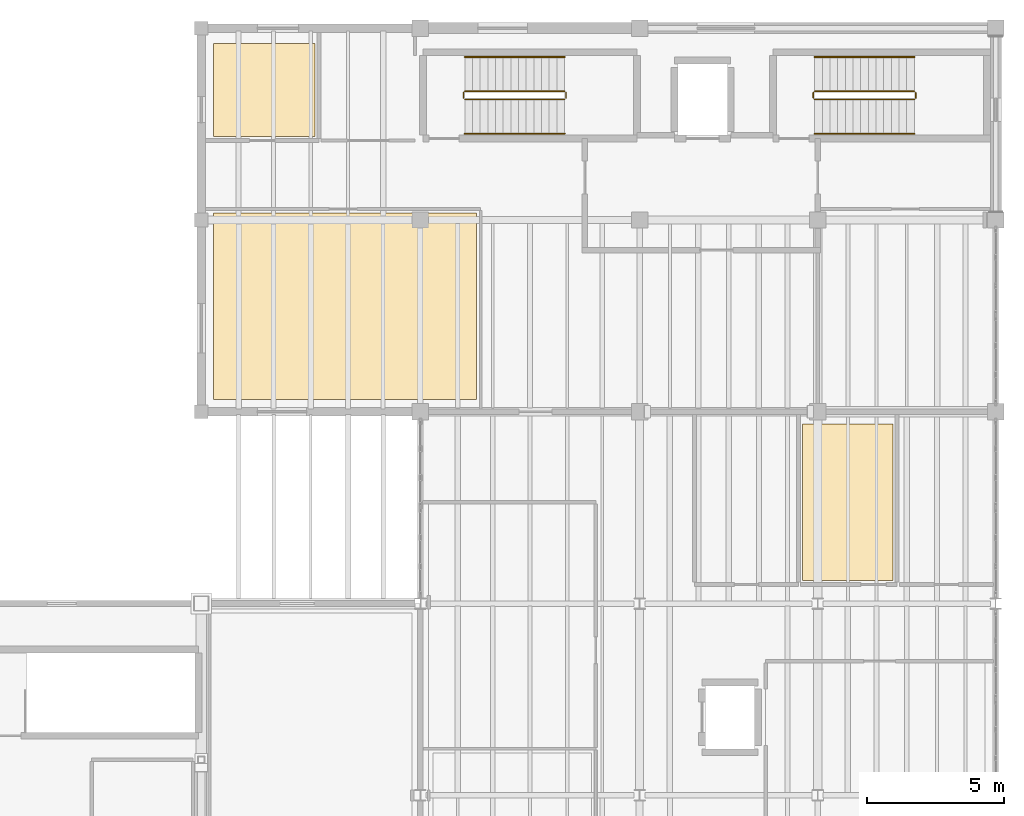
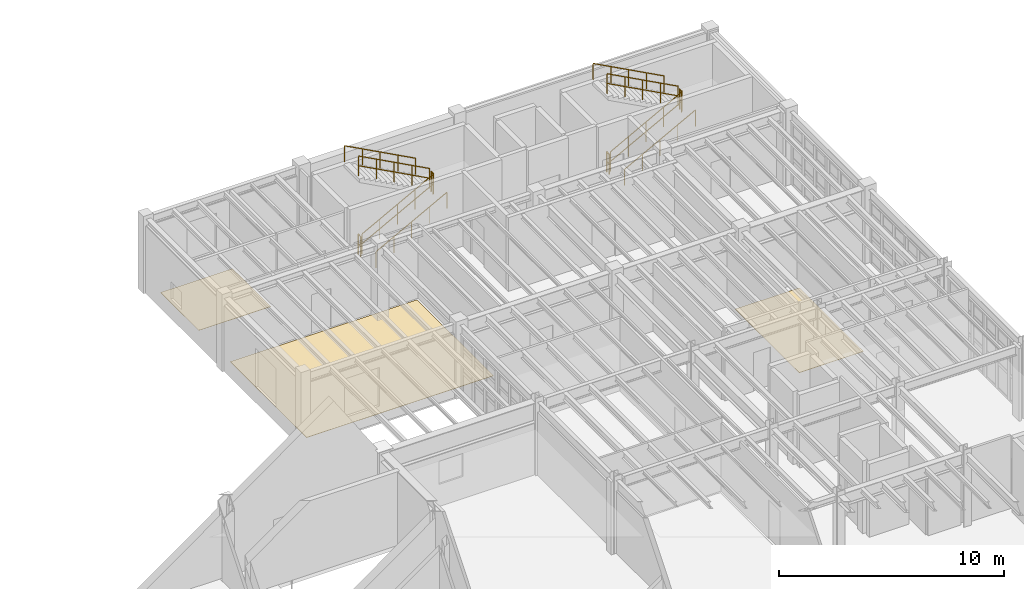
# One storey, part 78 of 78: 12 railings, 3 coverings.
"""IFC4 building model written with IfcOpenShell, lengths in metres."""

import ifcopenshell
import ifcopenshell.guid

model = None  # the IFC model being written
_history = None  # IfcOwnerHistory: only IFC2X3 demands one
_inside = {}  # id of a spatial element -> (the spatial element, [elements in it])
_under = {}  # id of a project, library or spatial element -> (it, [spatial elements below it])
_declared = {}  # id of a project -> (the project, [libraries it declares])
_typed = {}  # id of a type object -> (the type object, [elements of that type])
_made_of = {}  # id of a material, layer set ... -> (it, [elements and type objects made of it])


def new_model(schema):
    """Start an empty IFC model of exactly this schema.

    Asked for "IFC4X3", IfcOpenShell would pick the latest addendum, in which some entities
    have other attributes; the version numbers below select the first issue.
    IFC2X3 requires an IfcOwnerHistory on every rooted entity: one is made here for all.
    """
    global model, _history
    if schema == "IFC4X3":
        model = ifcopenshell.file(schema_version=(4, 3, 0, 0))
    else:
        model = ifcopenshell.file(schema=schema)
    _inside.clear()
    _under.clear()
    _declared.clear()
    _typed.clear()
    _made_of.clear()
    _history = None
    if model.schema == "IFC2X3":
        org = make("IfcOrganization", Name="unknown")
        user = make(
            "IfcPersonAndOrganization",
            ThePerson=make("IfcPerson", FamilyName="unknown"),
            TheOrganization=org,
        )
        app = make(
            "IfcApplication",
            ApplicationDeveloper=org,
            Version="unknown",
            ApplicationFullName="unknown",
            ApplicationIdentifier="unknown",
        )
        _history = make(
            "IfcOwnerHistory",
            OwningUser=user,
            OwningApplication=app,
            ChangeAction="ADDED",
            CreationDate=0,
        )
    return model


def make(cls, **values):
    """One entity of the class cls with the attributes given. An attribute that is None is left unset."""
    return model.create_entity(
        cls, **{name: value for name, value in values.items() if value is not None}
    )


def rooted(cls, **values):
    """An entity with a GlobalId (a new one), such as an element, a storey or a relation."""
    return make(cls, GlobalId=ifcopenshell.guid.new(), OwnerHistory=_history, **values)


def si_unit(unit_type, name, prefix=None):
    """IfcSIUnit, for example si_unit("LENGTHUNIT", "METRE", prefix="MILLI")."""
    return make("IfcSIUnit", UnitType=unit_type, Prefix=prefix, Name=name)


def assignment(units):
    """IfcUnitAssignment: the units of a project."""
    return None if units is None else make("IfcUnitAssignment", Units=units)


def point(xyz):
    """IfcCartesianPoint."""
    return None if xyz is None else make("IfcCartesianPoint", Coordinates=xyz)


def direction(xyz):
    """IfcDirection."""
    return None if xyz is None else make("IfcDirection", DirectionRatios=xyz)


def frame(location, z_axis=None, x_axis=None):
    """IfcAxis2Placement3D, a coordinate frame: its origin and axes. An axis left out is left unset."""
    return make(
        "IfcAxis2Placement3D",
        Location=point(location),
        Axis=direction(z_axis),
        RefDirection=direction(x_axis),
    )


def frame_2d(location, x_axis=None):
    """IfcAxis2Placement2D, a coordinate frame in the plane: its origin and x axis."""
    return make(
        "IfcAxis2Placement2D", Location=point(location), RefDirection=direction(x_axis)
    )


def origin():
    """The frame at (0, 0, 0) with its axes left unset."""
    return frame((0.0, 0.0, 0.0))


def origin_2d():
    """The frame at (0, 0) in the plane with its x axis left unset."""
    return frame_2d((0.0, 0.0))


def place(relative_to, where):
    """IfcLocalPlacement: puts the frame where relative to a parent placement (None: the world)."""
    return make(
        "IfcLocalPlacement", PlacementRelTo=relative_to, RelativePlacement=where
    )


def context(
    kind, dimensions, precision=None, world=None, true_north=None, identifier=None
):
    """IfcGeometricRepresentationContext, for example the 3D "Model" context."""
    return make(
        "IfcGeometricRepresentationContext",
        ContextIdentifier=identifier,
        ContextType=kind,
        CoordinateSpaceDimension=dimensions,
        Precision=precision,
        WorldCoordinateSystem=world,
        TrueNorth=true_north,
    )


def subcontext(parent, identifier, kind, view, scale=None):
    """IfcGeometricRepresentationSubContext, for example "Body" below "Model"."""
    return make(
        "IfcGeometricRepresentationSubContext",
        ContextIdentifier=identifier,
        ContextType=kind,
        ParentContext=parent,
        TargetScale=scale,
        TargetView=view,
    )


def project(units=None, contexts=None):
    """IfcProject with its units and contexts."""
    return rooted(
        "IfcProject",
        Name="project",
        RepresentationContexts=contexts,
        UnitsInContext=assignment(units),
    )


def spatial(cls, under=None, at=None, **own):
    """A site, building, storey or space (cls), placed at a placement, below another one or the project."""
    s = rooted(cls, ObjectPlacement=at, **own)
    if under is not None:
        _under.setdefault(under.id(), (under, []))[1].append(s)
    return s


def polyline(points):
    """IfcPolyline through the points."""
    return make("IfcPolyline", Points=[point(p) for p in points])


def profile(cls, at=None, kind="AREA", **sizes):
    """A parametric profile (cls). Its sizes go by their IFC names, for example OverallWidth=200.0."""
    return make(cls, ProfileType=kind, Position=at, **sizes)


def circle(**sizes):
    """IfcCircleProfileDef."""
    return profile("IfcCircleProfileDef", **sizes)


def outline(outer, holes=None, kind="AREA"):
    """IfcArbitraryClosedProfileDef: a profile drawn as a closed curve; with holes, ...WithVoids."""
    if holes is None:
        return make("IfcArbitraryClosedProfileDef", ProfileType=kind, OuterCurve=outer)
    return make(
        "IfcArbitraryProfileDefWithVoids",
        ProfileType=kind,
        OuterCurve=outer,
        InnerCurves=holes,
    )


def extrude(swept, where, along, depth):
    """IfcExtrudedAreaSolid: the profile swept, set in the frame where, extruded along a direction by depth."""
    return make(
        "IfcExtrudedAreaSolid",
        SweptArea=swept,
        Position=where,
        ExtrudedDirection=direction(along),
        Depth=depth,
    )


def shape(context_of_items, identifier, shape_type, items):
    """IfcShapeRepresentation: the items that make up one representation, for example the "Body"."""
    return make(
        "IfcShapeRepresentation",
        ContextOfItems=context_of_items,
        RepresentationIdentifier=identifier,
        RepresentationType=shape_type,
        Items=items,
    )


def material(Name=None, Category=None):
    """IfcMaterial."""
    return make("IfcMaterial", Name=Name, Category=Category)


def layer(
    of_material, thickness, ventilated=None, Name=None, Category=None, Priority=None
):
    """IfcMaterialLayer: one layer of a wall or slab, of a material (None: an air gap)."""
    return make(
        "IfcMaterialLayer",
        Material=of_material,
        LayerThickness=thickness,
        IsVentilated=ventilated,
        Name=Name,
        Category=Category,
        Priority=Priority,
    )


def layer_set(layers, Name=None):
    """IfcMaterialLayerSet."""
    return make("IfcMaterialLayerSet", MaterialLayers=layers, LayerSetName=Name)


def made_of(thing, what):
    """Note that an element or type object is made of a material, layer set ...; save() writes the relation."""
    if what is not None:
        _made_of.setdefault(what.id(), (what, []))[1].append(thing)
    return thing


def type_object(cls, material=None, **own):
    """A type object (cls), such as IfcWallType, which elements share."""
    return made_of(rooted(cls, **own), material)


def element(
    cls,
    number,
    at=None,
    inside=None,
    cuts=None,
    type_object=None,
    material=None,
    context=None,
    identifier="Body",
    shape_type=None,
    held_by="IfcProductDefinitionShape",
    body=None,
    shapes=None,
    **own,
):
    """One element of the class cls, such as IfcWall. Its Tag is "e" and its number.

    at: its placement. inside: the storey or other place that contains it. cuts: it is an
    opening in that element (IfcRelVoidsElement). A single representation is given by context,
    identifier, shape_type and body (its items); several are given by shapes. held_by: the class
    of the entity that holds the representations. save() writes the other relations.
    """
    e = rooted(cls, Tag="e%d" % number, ObjectPlacement=at, **own)
    if body is not None:
        shapes = [shape(context, identifier, shape_type, body)]
    if shapes is not None:
        e.Representation = make(held_by, Representations=shapes)
    if inside is not None:
        _inside.setdefault(inside.id(), (inside, []))[1].append(e)
    if cuts is not None:
        rooted(
            "IfcRelVoidsElement", RelatingBuildingElement=cuts, RelatedOpeningElement=e
        )
    if type_object is not None:
        _typed.setdefault(type_object.id(), (type_object, []))[1].append(e)
    return made_of(e, material)


def aggregate(whole, parts):
    """IfcRelAggregates: a whole, such as a stair, and the parts it consists of."""
    return rooted("IfcRelAggregates", RelatingObject=whole, RelatedObjects=parts)


def save(model, path):
    """Write the relations noted so far, then the file.

    IfcRelAggregates (storeys below a building ...), IfcRelContainedInSpatialStructure (elements
    in a storey), IfcRelDefinesByType, IfcRelAssociatesMaterial and IfcRelDeclares: one each for
    every whole, place, type object, material and project.
    """
    for whole, parts in _under.values():
        aggregate(whole, parts)
    for where, things in _inside.values():
        rooted(
            "IfcRelContainedInSpatialStructure",
            RelatedElements=things,
            RelatingStructure=where,
        )
    for kind, things in _typed.values():
        rooted("IfcRelDefinesByType", RelatedObjects=things, RelatingType=kind)
    for what, things in _made_of.values():
        rooted("IfcRelAssociatesMaterial", RelatedObjects=things, RelatingMaterial=what)
    for by, libraries in _declared.values():
        rooted("IfcRelDeclares", RelatingContext=by, RelatedDefinitions=libraries)
    model.write(path)


model = new_model("IFC4")

# Units and contexts
model_context = context("Model", 3, precision=1e-05, world=origin(), true_north=direction((0.0, 1.0)))
body_context = subcontext(model_context, "Body", "Model", "MODEL_VIEW")
ifc_project = project(units=[si_unit("LENGTHUNIT", "METRE"), si_unit("AREAUNIT", "SQUARE_METRE"), si_unit("VOLUMEUNIT", "CUBIC_METRE"), si_unit("PLANEANGLEUNIT", "RADIAN"), si_unit("MASSUNIT", "GRAM", prefix="KILO"), si_unit("THERMODYNAMICTEMPERATUREUNIT", "KELVIN"), si_unit("POWERUNIT", "WATT")], contexts=[model_context])

# Site, building, storey
site_placement = place(None, origin())
site = spatial("IfcSite", under=ifc_project, at=site_placement, CompositionType="ELEMENT")
building_placement = place(site_placement, origin())
building = spatial("IfcBuilding", under=site, at=building_placement, Name="Zhenchuan Central Fire Station", CompositionType="ELEMENT")
storey_placement = place(building_placement, frame((0.0, 0.0, 5.85009765625)))
storey = spatial("IfcBuildingStorey", under=building, at=storey_placement, Name="L02", CompositionType="ELEMENT", Elevation=5.85009765625)

# Coverings
ifc_material_1 = material(Name="Heavy-duty slip-resistant ceramic tile flooring")
ifc_layer = layer(ifc_material_1, 0.014892578125, Name="Heavy-duty slip-resistant ceramic tile flooring")
ifc_layer_set = layer_set([ifc_layer], Name="Heavy-duty slip-resistant ceramic tile flooring")
covering_type = type_object("IfcCoveringType", Name="COV-FLR-RES", PredefinedType="FLOORING", material=ifc_layer_set)
covering_1_placement = place(storey_placement, origin())
element("IfcCovering", 1, at=covering_1_placement, inside=storey, type_object=covering_type, Name="Administration Female WC Ceramic Tile Flooring", PredefinedType="FLOORING", context=body_context, shape_type="SweptSolid", body=[
    extrude(outline(polyline([(153.949951171875, 36.35009765625), (157.25, 36.35009765625), (157.25, 42.050048828125), (153.949951171875, 42.050048828125), (153.949951171875, 36.35009765625)])), origin(), (0.0, 0.0, 1.0), 0.014892578125),
])
covering_2_placement = place(storey_placement, origin())
element("IfcCovering", 2, at=covering_2_placement, inside=storey, type_object=covering_type, Name="Forcible Entry Training Room Ceramic Tile Flooring", PredefinedType="FLOORING", context=body_context, shape_type="SweptSolid", body=[
    extrude(outline(polyline([(132.449951171875, 42.949951171875), (142.050048828125, 42.949951171875), (142.050048828125, 49.75), (132.449951171875, 49.75), (132.449951171875, 42.949951171875)])), origin(), (0.0, 0.0, 1.0), 0.014892578125),
])
covering_3_placement = place(storey_placement, origin())
element("IfcCovering", 3, at=covering_3_placement, inside=storey, type_object=covering_type, Name="Drill Tower Accessible WC L02 Ceramic Tile Flooring", PredefinedType="FLOORING", context=body_context, shape_type="SweptSolid", body=[
    extrude(outline(polyline([(132.449951171875, 52.550048828125), (136.14990234375, 52.550048828125), (136.14990234375, 55.949951171875), (132.449951171875, 55.949951171875), (132.449951171875, 52.550048828125)])), origin(), (0.0, 0.0, 1.0), 0.014892578125),
])

# Railings
ifc_material_2 = material(Name="Galvanised powder-coated steel", Category="steel")
railing_type_1 = type_object("IfcRailingType", Name="RL-ST-GRD", PredefinedType="GUARDRAIL", material=ifc_material_2)
railing_1_placement = place(storey_placement, frame((141.6201171875, 53.89990234375, 0.14990234375)))
element("IfcRailing", 4, at=railing_1_placement, inside=storey, type_object=railing_type_1, Name="L02 ST-12 stair guard 1", PredefinedType="GUARDRAIL", context=body_context, shape_type="SweptSolid", body=[
    extrude(circle(Radius=0.02392578125, at=origin_2d()), frame((0.0, 0.0, 1.076171875), z_axis=(0.881479091078, 0.0, 0.472223053219), x_axis=(0.0, 1.0, 0.0)), (0.0, 0.0, 1.0), 4.12939453125),
    extrude(circle(Radius=0.02392578125, at=origin_2d()), frame((0.0, 0.0, 0.550048828125), z_axis=(0.881479091078, 0.0, 0.472223053219), x_axis=(0.0, 1.0, 0.0)), (0.0, 0.0, 1.0), 4.12939453125),
    extrude(circle(Radius=0.02099609375, at=origin_2d()), origin(), (0.0, 0.0, 1.0), 1.052001953125),
    extrude(circle(Radius=0.02099609375, at=origin_2d()), frame((0.909912109375, 0.0, 0.487548828125)), (0.0, 0.0, 1.0), 1.052001953125),
    extrude(circle(Radius=0.02099609375, at=origin_2d()), frame((1.81982421875, 0.0, 0.97509765625)), (0.0, 0.0, 1.0), 1.052001953125),
    extrude(circle(Radius=0.02099609375, at=origin_2d()), frame((2.72998046875, 0.0, 1.46240234375)), (0.0, 0.0, 1.0), 1.052001953125),
    extrude(circle(Radius=0.02099609375, at=origin_2d()), frame((3.639892578125, 0.0, 1.949951171875)), (0.0, 0.0, 1.0), 1.052001953125),
])
railing_2_placement = place(storey_placement, frame((145.31005859375, 53.949951171875, 2.099853515625)))
element("IfcRailing", 5, at=railing_2_placement, inside=storey, type_object=railing_type_1, Name="L02 ST-12 stair guard 2", PredefinedType="GUARDRAIL", context=body_context, shape_type="SweptSolid", body=[
    extrude(circle(Radius=0.02392578125, at=origin_2d()), frame((0.0, 0.0, 1.076171875), z_axis=(0.0, 1.0, 0.0), x_axis=(-1.0, 0.0, 0.0)), (0.0, 0.0, 1.0), 0.199951171875),
    extrude(circle(Radius=0.02392578125, at=origin_2d()), frame((0.0, 0.0, 0.550048828125), z_axis=(0.0, 1.0, 0.0), x_axis=(-1.0, 0.0, 0.0)), (0.0, 0.0, 1.0), 0.199951171875),
    extrude(circle(Radius=0.02099609375, at=origin_2d()), origin(), (0.0, 0.0, 1.0), 1.052001953125),
    extrude(circle(Radius=0.02099609375, at=origin_2d()), frame((0.0, 0.199951171875, 0.0)), (0.0, 0.0, 1.0), 1.052001953125),
])
railing_3_placement = place(storey_placement, frame((145.260009765625, 54.199951171875, 2.25)))
element("IfcRailing", 6, at=railing_3_placement, inside=storey, type_object=railing_type_1, Name="L02 ST-12 stair guard 3", PredefinedType="GUARDRAIL", context=body_context, shape_type="SweptSolid", body=[
    extrude(circle(Radius=0.02392578125, at=origin_2d()), frame((0.0, 0.0, 1.076171875), z_axis=(-0.881479091078, 0.0, 0.472223053219), x_axis=(0.0, -1.0, 0.0)), (0.0, 0.0, 1.0), 4.12939453125),
    extrude(circle(Radius=0.02392578125, at=origin_2d()), frame((0.0, 0.0, 0.550048828125), z_axis=(-0.881479091078, 0.0, 0.472223053219), x_axis=(0.0, -1.0, 0.0)), (0.0, 0.0, 1.0), 4.12939453125),
    extrude(circle(Radius=0.02099609375, at=origin_2d()), origin(), (0.0, 0.0, 1.0), 1.052001953125),
    extrude(circle(Radius=0.02099609375, at=origin_2d()), frame((-0.909912109375, 0.0, 0.487548828125)), (0.0, 0.0, 1.0), 1.052001953125),
    extrude(circle(Radius=0.02099609375, at=origin_2d()), frame((-1.81982421875, 0.0, 0.97509765625)), (0.0, 0.0, 1.0), 1.052001953125),
    extrude(circle(Radius=0.02099609375, at=origin_2d()), frame((-2.72998046875, 0.0, 1.46240234375)), (0.0, 0.0, 1.0), 1.052001953125),
    extrude(circle(Radius=0.02099609375, at=origin_2d()), frame((-3.639892578125, 0.0, 1.949951171875)), (0.0, 0.0, 1.0), 1.052001953125),
])
railing_4_placement = place(storey_placement, frame((141.570068359375, 53.949951171875, 0.0)))
element("IfcRailing", 7, at=railing_4_placement, inside=storey, type_object=railing_type_1, Name="L02 ST-12 stair guard 4", PredefinedType="GUARDRAIL", context=body_context, shape_type="SweptSolid", body=[
    extrude(circle(Radius=0.02392578125, at=origin_2d()), frame((0.0, 0.0, 1.076171875), z_axis=(0.0, 1.0, 0.0), x_axis=(-1.0, 0.0, 0.0)), (0.0, 0.0, 1.0), 0.199951171875),
    extrude(circle(Radius=0.02392578125, at=origin_2d()), frame((0.0, 0.0, 0.550048828125), z_axis=(0.0, 1.0, 0.0), x_axis=(-1.0, 0.0, 0.0)), (0.0, 0.0, 1.0), 0.199951171875),
    extrude(circle(Radius=0.02099609375, at=origin_2d()), origin(), (0.0, 0.0, 1.0), 1.052001953125),
    extrude(circle(Radius=0.02099609375, at=origin_2d()), frame((0.0, 0.199951171875, 0.0)), (0.0, 0.0, 1.0), 1.052001953125),
])
railing_5_placement = place(storey_placement, frame((154.389892578125, 53.89990234375, 0.14990234375)))
element("IfcRailing", 8, at=railing_5_placement, inside=storey, type_object=railing_type_1, Name="L02 ST-13 stair guard 1", PredefinedType="GUARDRAIL", context=body_context, shape_type="SweptSolid", body=[
    extrude(circle(Radius=0.02392578125, at=origin_2d()), frame((0.0, 0.0, 1.076171875), z_axis=(0.881492274372, 0.0, 0.472198443689), x_axis=(0.0, 1.0, 0.0)), (0.0, 0.0, 1.0), 4.12939453125),
    extrude(circle(Radius=0.02392578125, at=origin_2d()), frame((0.0, 0.0, 0.550048828125), z_axis=(0.881492274372, 0.0, 0.472198443689), x_axis=(0.0, 1.0, 0.0)), (0.0, 0.0, 1.0), 4.12939453125),
    extrude(circle(Radius=0.02099609375, at=origin_2d()), origin(), (0.0, 0.0, 1.0), 1.052001953125),
    extrude(circle(Radius=0.02099609375, at=origin_2d()), frame((0.91015625, 0.0, 0.487548828125)), (0.0, 0.0, 1.0), 1.052001953125),
    extrude(circle(Radius=0.02099609375, at=origin_2d()), frame((1.820068359375, 0.0, 0.97509765625)), (0.0, 0.0, 1.0), 1.052001953125),
    extrude(circle(Radius=0.02099609375, at=origin_2d()), frame((2.72998046875, 0.0, 1.46240234375)), (0.0, 0.0, 1.0), 1.052001953125),
    extrude(circle(Radius=0.02099609375, at=origin_2d()), frame((3.64013671875, 0.0, 1.949951171875)), (0.0, 0.0, 1.0), 1.052001953125),
])
railing_6_placement = place(storey_placement, frame((158.080078125, 53.949951171875, 2.099853515625)))
element("IfcRailing", 9, at=railing_6_placement, inside=storey, type_object=railing_type_1, Name="L02 ST-13 stair guard 2", PredefinedType="GUARDRAIL", context=body_context, shape_type="SweptSolid", body=[
    extrude(circle(Radius=0.02392578125, at=origin_2d()), frame((0.0, 0.0, 1.076171875), z_axis=(0.0, 1.0, 0.0), x_axis=(-1.0, 0.0, 0.0)), (0.0, 0.0, 1.0), 0.199951171875),
    extrude(circle(Radius=0.02392578125, at=origin_2d()), frame((0.0, 0.0, 0.550048828125), z_axis=(0.0, 1.0, 0.0), x_axis=(-1.0, 0.0, 0.0)), (0.0, 0.0, 1.0), 0.199951171875),
    extrude(circle(Radius=0.02099609375, at=origin_2d()), origin(), (0.0, 0.0, 1.0), 1.052001953125),
    extrude(circle(Radius=0.02099609375, at=origin_2d()), frame((0.0, 0.199951171875, 0.0)), (0.0, 0.0, 1.0), 1.052001953125),
])
railing_7_placement = place(storey_placement, frame((158.030029296875, 54.199951171875, 2.25)))
element("IfcRailing", 10, at=railing_7_placement, inside=storey, type_object=railing_type_1, Name="L02 ST-13 stair guard 3", PredefinedType="GUARDRAIL", context=body_context, shape_type="SweptSolid", body=[
    extrude(circle(Radius=0.02392578125, at=origin_2d()), frame((0.0, 0.0, 1.076171875), z_axis=(-0.881492274372, 0.0, 0.472198443689), x_axis=(0.0, -1.0, 0.0)), (0.0, 0.0, 1.0), 4.12939453125),
    extrude(circle(Radius=0.02392578125, at=origin_2d()), frame((0.0, 0.0, 0.550048828125), z_axis=(-0.881492274372, 0.0, 0.472198443689), x_axis=(0.0, -1.0, 0.0)), (0.0, 0.0, 1.0), 4.12939453125),
    extrude(circle(Radius=0.02099609375, at=origin_2d()), origin(), (0.0, 0.0, 1.0), 1.052001953125),
    extrude(circle(Radius=0.02099609375, at=origin_2d()), frame((-0.91015625, 0.0, 0.487548828125)), (0.0, 0.0, 1.0), 1.052001953125),
    extrude(circle(Radius=0.02099609375, at=origin_2d()), frame((-1.820068359375, 0.0, 0.97509765625)), (0.0, 0.0, 1.0), 1.052001953125),
    extrude(circle(Radius=0.02099609375, at=origin_2d()), frame((-2.72998046875, 0.0, 1.46240234375)), (0.0, 0.0, 1.0), 1.052001953125),
    extrude(circle(Radius=0.02099609375, at=origin_2d()), frame((-3.64013671875, 0.0, 1.949951171875)), (0.0, 0.0, 1.0), 1.052001953125),
])
railing_8_placement = place(storey_placement, frame((154.340087890625, 53.949951171875, 0.0)))
element("IfcRailing", 11, at=railing_8_placement, inside=storey, type_object=railing_type_1, Name="L02 ST-13 stair guard 4", PredefinedType="GUARDRAIL", context=body_context, shape_type="SweptSolid", body=[
    extrude(circle(Radius=0.02392578125, at=origin_2d()), frame((0.0, 0.0, 1.076171875), z_axis=(0.0, 1.0, 0.0), x_axis=(-1.0, 0.0, 0.0)), (0.0, 0.0, 1.0), 0.199951171875),
    extrude(circle(Radius=0.02392578125, at=origin_2d()), frame((0.0, 0.0, 0.550048828125), z_axis=(0.0, 1.0, 0.0), x_axis=(-1.0, 0.0, 0.0)), (0.0, 0.0, 1.0), 0.199951171875),
    extrude(circle(Radius=0.02099609375, at=origin_2d()), origin(), (0.0, 0.0, 1.0), 1.052001953125),
    extrude(circle(Radius=0.02099609375, at=origin_2d()), frame((0.0, 0.199951171875, 0.0)), (0.0, 0.0, 1.0), 1.052001953125),
])
ifc_material_3 = material(Name="Brushed stainless steel handrail", Category="steel")
railing_type_2 = type_object("IfcRailingType", Name="RL-ST-HND", PredefinedType="HANDRAIL", material=ifc_material_3)
railing_9_placement = place(storey_placement, frame((141.6201171875, 52.64990234375, 0.14990234375)))
element("IfcRailing", 12, at=railing_9_placement, inside=storey, type_object=railing_type_2, Name="L02 ST-12 stair handrail 1", PredefinedType="HANDRAIL", context=body_context, shape_type="SweptSolid", body=[
    extrude(circle(Radius=0.02392578125, at=origin_2d()), frame((0.0, 0.0, 0.8759765625), z_axis=(0.881479091078, 0.0, 0.472223053219), x_axis=(0.0, 1.0, 0.0)), (0.0, 0.0, 1.0), 4.12939453125),
    extrude(circle(Radius=0.02099609375, at=origin_2d()), origin(), (0.0, 0.0, 1.0), 0.851806640625),
    extrude(circle(Radius=0.02099609375, at=origin_2d()), frame((0.909912109375, 0.0, 0.487548828125)), (0.0, 0.0, 1.0), 0.851806640625),
    extrude(circle(Radius=0.02099609375, at=origin_2d()), frame((1.81982421875, 0.0, 0.97509765625)), (0.0, 0.0, 1.0), 0.851806640625),
    extrude(circle(Radius=0.02099609375, at=origin_2d()), frame((2.72998046875, 0.0, 1.46240234375)), (0.0, 0.0, 1.0), 0.851806640625),
    extrude(circle(Radius=0.02099609375, at=origin_2d()), frame((3.639892578125, 0.0, 1.949951171875)), (0.0, 0.0, 1.0), 0.851806640625),
])
railing_10_placement = place(storey_placement, frame((145.260009765625, 55.449951171875, 2.25)))
element("IfcRailing", 13, at=railing_10_placement, inside=storey, type_object=railing_type_2, Name="L02 ST-12 stair handrail 2", PredefinedType="HANDRAIL", context=body_context, shape_type="SweptSolid", body=[
    extrude(circle(Radius=0.02392578125, at=origin_2d()), frame((0.0, 0.0, 0.8759765625), z_axis=(-0.881479091078, 0.0, 0.472223053219), x_axis=(0.0, -1.0, 0.0)), (0.0, 0.0, 1.0), 4.12939453125),
    extrude(circle(Radius=0.02099609375, at=origin_2d()), origin(), (0.0, 0.0, 1.0), 0.851806640625),
    extrude(circle(Radius=0.02099609375, at=origin_2d()), frame((-0.909912109375, 0.0, 0.487548828125)), (0.0, 0.0, 1.0), 0.851806640625),
    extrude(circle(Radius=0.02099609375, at=origin_2d()), frame((-1.81982421875, 0.0, 0.97509765625)), (0.0, 0.0, 1.0), 0.851806640625),
    extrude(circle(Radius=0.02099609375, at=origin_2d()), frame((-2.72998046875, 0.0, 1.46240234375)), (0.0, 0.0, 1.0), 0.851806640625),
    extrude(circle(Radius=0.02099609375, at=origin_2d()), frame((-3.639892578125, 0.0, 1.949951171875)), (0.0, 0.0, 1.0), 0.851806640625),
])
railing_11_placement = place(storey_placement, frame((154.389892578125, 52.64990234375, 0.14990234375)))
element("IfcRailing", 14, at=railing_11_placement, inside=storey, type_object=railing_type_2, Name="L02 ST-13 stair handrail 1", PredefinedType="HANDRAIL", context=body_context, shape_type="SweptSolid", body=[
    extrude(circle(Radius=0.02392578125, at=origin_2d()), frame((0.0, 0.0, 0.8759765625), z_axis=(0.881492274372, 0.0, 0.472198443689), x_axis=(0.0, 1.0, 0.0)), (0.0, 0.0, 1.0), 4.12939453125),
    extrude(circle(Radius=0.02099609375, at=origin_2d()), origin(), (0.0, 0.0, 1.0), 0.851806640625),
    extrude(circle(Radius=0.02099609375, at=origin_2d()), frame((0.91015625, 0.0, 0.487548828125)), (0.0, 0.0, 1.0), 0.851806640625),
    extrude(circle(Radius=0.02099609375, at=origin_2d()), frame((1.820068359375, 0.0, 0.97509765625)), (0.0, 0.0, 1.0), 0.851806640625),
    extrude(circle(Radius=0.02099609375, at=origin_2d()), frame((2.72998046875, 0.0, 1.46240234375)), (0.0, 0.0, 1.0), 0.851806640625),
    extrude(circle(Radius=0.02099609375, at=origin_2d()), frame((3.64013671875, 0.0, 1.949951171875)), (0.0, 0.0, 1.0), 0.851806640625),
])
railing_12_placement = place(storey_placement, frame((158.030029296875, 55.449951171875, 2.25)))
element("IfcRailing", 15, at=railing_12_placement, inside=storey, type_object=railing_type_2, Name="L02 ST-13 stair handrail 2", PredefinedType="HANDRAIL", context=body_context, shape_type="SweptSolid", body=[
    extrude(circle(Radius=0.02392578125, at=origin_2d()), frame((0.0, 0.0, 0.8759765625), z_axis=(-0.881492274372, 0.0, 0.472198443689), x_axis=(0.0, -1.0, 0.0)), (0.0, 0.0, 1.0), 4.12939453125),
    extrude(circle(Radius=0.02099609375, at=origin_2d()), origin(), (0.0, 0.0, 1.0), 0.851806640625),
    extrude(circle(Radius=0.02099609375, at=origin_2d()), frame((-0.91015625, 0.0, 0.487548828125)), (0.0, 0.0, 1.0), 0.851806640625),
    extrude(circle(Radius=0.02099609375, at=origin_2d()), frame((-1.820068359375, 0.0, 0.97509765625)), (0.0, 0.0, 1.0), 0.851806640625),
    extrude(circle(Radius=0.02099609375, at=origin_2d()), frame((-2.72998046875, 0.0, 1.46240234375)), (0.0, 0.0, 1.0), 0.851806640625),
    extrude(circle(Radius=0.02099609375, at=origin_2d()), frame((-3.64013671875, 0.0, 1.949951171875)), (0.0, 0.0, 1.0), 0.851806640625),
])

save(model, "model.ifc")
